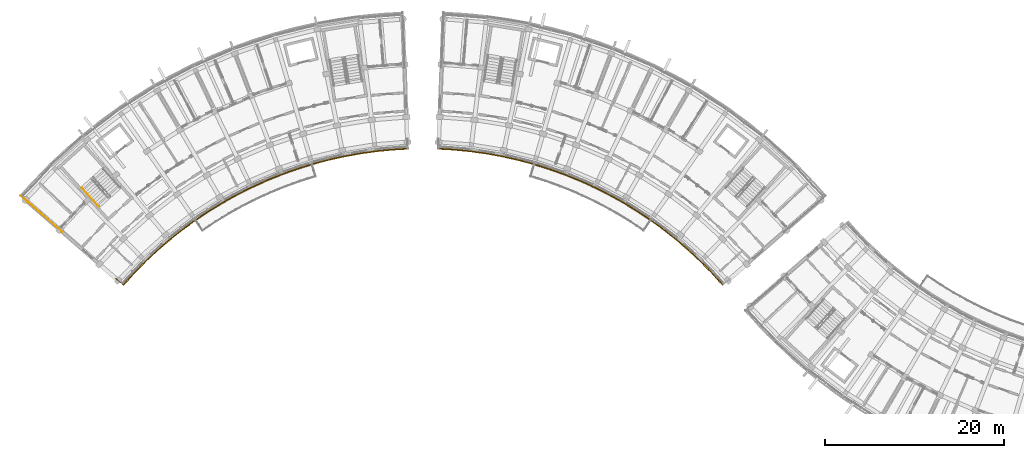
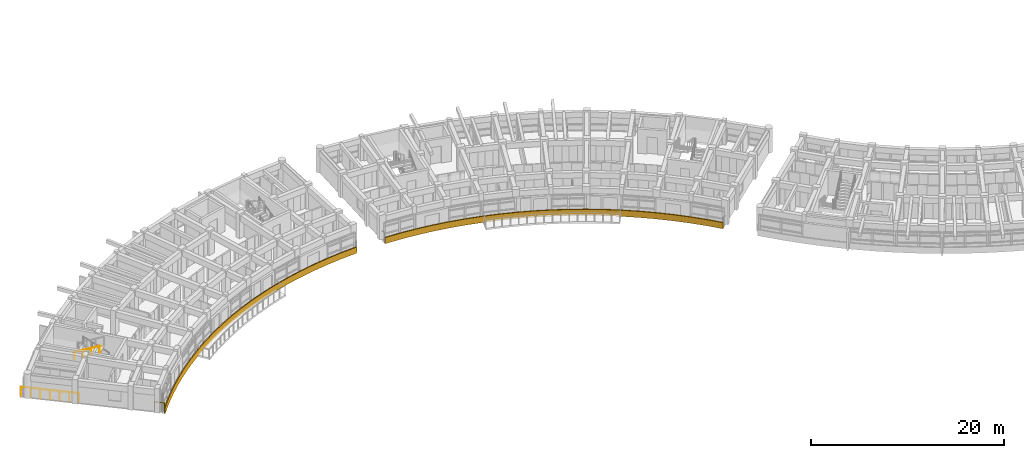
# One storey, part 41 of 56: 5 railings.
"""IFC4 building model written with IfcOpenShell, lengths in metres."""

from ifc_helpers import new_model, si_unit, direction, frame, origin, origin_2d, place, context, subcontext, project, spatial, polyline, circle, outline, extrude, material, type_object, element, save


model = new_model("IFC4")

# Units and contexts
model_context = context("Model", 3, precision=1e-05, world=origin(), true_north=direction((0.0, 1.0)))
body_context = subcontext(model_context, "Body", "Model", "MODEL_VIEW")
ifc_project = project(units=[si_unit("LENGTHUNIT", "METRE"), si_unit("AREAUNIT", "SQUARE_METRE"), si_unit("VOLUMEUNIT", "CUBIC_METRE"), si_unit("PLANEANGLEUNIT", "RADIAN"), si_unit("MASSUNIT", "GRAM", prefix="KILO")], contexts=[model_context])

# Site, building, storey
site_placement = place(None, origin())
site = spatial("IfcSite", under=ifc_project, at=site_placement, CompositionType="ELEMENT")
building_placement = place(site_placement, origin())
building = spatial("IfcBuilding", under=site, at=building_placement, Name="Zimvara Arc Housing Community", CompositionType="ELEMENT")
storey_placement = place(building_placement, frame((0.0, 0.0, 11.199951171875)))
storey = spatial("IfcBuildingStorey", under=building, at=storey_placement, Name="L03", CompositionType="ELEMENT", Elevation=11.199951171875)

# Railings
ifc_material_1 = material(Name="Anodised Aluminium AW-6063", Category="aluminium")
railing_type_1 = type_object("IfcRailingType", Name="RLG-BAL-1150", PredefinedType="BALUSTRADE", material=ifc_material_1)
railing_1_placement = place(storey_placement, frame((11.490966796875, 73.62890625, 0.0)))
element("IfcRailing", 1, at=railing_1_placement, inside=storey, type_object=railing_type_1, Name="rlg:blkA:L03:gable_in:g0", PredefinedType="BALUSTRADE", context=body_context, shape_type="SweptSolid", body=[
    extrude(circle(Radius=0.02392578125, at=origin_2d()), frame((0.0, 0.0, 1.1259765625), z_axis=(-0.754659042762, 0.656117161167, 0.0), x_axis=(-0.656117161167, -0.754659042762, 0.0)), (0.0, 0.0, 1.0), 1.080322265625),
    extrude(circle(Radius=0.02099609375, at=origin_2d()), origin(), (0.0, 0.0, 1.0), 1.101806640625),
    extrude(circle(Radius=0.02099609375, at=origin_2d()), frame((-0.815185546875, 0.708740234375, 0.0)), (0.0, 0.0, 1.0), 1.101806640625),
])
railing_2_placement = place(storey_placement, frame((4.668212890625, 79.559814453125, 0.0)))
element("IfcRailing", 2, at=railing_2_placement, inside=storey, type_object=railing_type_1, Name="rlg:blkA:L03:gable_out:g0", PredefinedType="BALUSTRADE", context=body_context, shape_type="SweptSolid", body=[
    extrude(circle(Radius=0.02392578125, at=origin_2d()), frame((0.0, 0.0, 1.1259765625), z_axis=(-0.754708757217, 0.656059975749, 0.0), x_axis=(-0.656059975749, -0.754708757217, 0.0)), (0.0, 0.0, 1.0), 6.159912109375),
    extrude(circle(Radius=0.02099609375, at=origin_2d()), origin(), (0.0, 0.0, 1.0), 1.101806640625),
    extrude(circle(Radius=0.02099609375, at=origin_2d()), frame((-0.77490234375, 0.673583984375, 0.0)), (0.0, 0.0, 1.0), 1.101806640625),
    extrude(circle(Radius=0.02099609375, at=origin_2d()), frame((-1.549560546875, 1.34716796875, 0.0)), (0.0, 0.0, 1.0), 1.101806640625),
    extrude(circle(Radius=0.02099609375, at=origin_2d()), frame((-2.324462890625, 2.0205078125, 0.0)), (0.0, 0.0, 1.0), 1.101806640625),
    extrude(circle(Radius=0.02099609375, at=origin_2d()), frame((-3.099365234375, 2.694091796875, 0.0)), (0.0, 0.0, 1.0), 1.101806640625),
    extrude(circle(Radius=0.02099609375, at=origin_2d()), frame((-3.8740234375, 3.36767578125, 0.0)), (0.0, 0.0, 1.0), 1.101806640625),
    extrude(circle(Radius=0.02099609375, at=origin_2d()), frame((-4.64892578125, 4.041259765625, 0.0)), (0.0, 0.0, 1.0), 1.101806640625),
])
ifc_material_2 = material(Name="Pale-Gold Anodised Aluminium AW-6063", Category="aluminium")
railing_type_2 = type_object("IfcRailingType", Name="RLG-FAS-780", PredefinedType="BALUSTRADE", material=ifc_material_2)
railing_3_placement = place(storey_placement, frame((0.0, 0.0, -0.219970703125)))
element("IfcRailing", 3, at=railing_3_placement, inside=storey, type_object=railing_type_2, Name="rlg:blkA:L03:gold_in", PredefinedType="BALUSTRADE", context=body_context, shape_type="SweptSolid", body=[
    extrude(outline(polyline([(11.55126953125, 73.576416015625), (12.766357421875, 74.91796875), (14.03515625, 76.208740234375), (15.355712890625, 77.446533203125), (16.7255859375, 78.62939453125), (18.142578125, 79.75537109375), (19.6044921875, 80.822509765625), (21.108642578125, 81.8291015625), (22.652587890625, 82.7734375), (24.234130859375, 83.654052734375), (25.849853515625, 84.46923828125), (27.497802734375, 85.2177734375), (29.1748046875, 85.8984375), (30.87841796875, 86.510009765625), (32.60546875, 87.051513671875), (34.35302734375, 87.522216796875), (36.11865234375, 87.9208984375), (37.898681640625, 88.247314453125), (39.69091796875, 88.5009765625), (41.491943359375, 88.680908203125), (43.298583984375, 88.787353515625), (43.2939453125, 88.9072265625), (41.482421875, 88.800537109375), (39.676513671875, 88.6201171875), (37.879638671875, 88.365966796875), (36.094482421875, 88.03857421875), (34.32421875, 87.638671875), (32.57177734375, 87.166748046875), (30.840087890625, 86.623779296875), (29.132080078125, 86.010498046875), (27.450439453125, 85.328125), (25.798095703125, 84.577392578125), (24.177734375, 83.760009765625), (22.59228515625, 82.877197265625), (21.0439453125, 81.93017578125), (19.53564453125, 80.9208984375), (18.06982421875, 79.850830078125), (16.64892578125, 78.721923828125), (15.275390625, 77.53564453125), (13.951416015625, 76.29443359375), (12.678955078125, 75.000244140625), (11.460693359375, 73.6552734375), (11.55126953125, 73.576416015625)])), origin(), (0.0, 0.0, 1.0), 0.780029296875),
])
railing_4_placement = place(storey_placement, frame((0.0, 0.0, -0.219970703125)))
element("IfcRailing", 4, at=railing_4_placement, inside=storey, type_object=railing_type_2, Name="rlg:blkB:L03:gold_in", PredefinedType="BALUSTRADE", context=body_context, shape_type="SweptSolid", body=[
    extrude(outline(polyline([(46.701416015625, 88.787353515625), (48.508056640625, 88.680908203125), (50.30908203125, 88.5009765625), (52.101318359375, 88.247314453125), (53.88134765625, 87.9208984375), (55.64697265625, 87.522216796875), (57.39453125, 87.051513671875), (59.12158203125, 86.510009765625), (60.8251953125, 85.8984375), (62.502197265625, 85.2177734375), (64.150146484375, 84.46923828125), (65.765869140625, 83.654052734375), (67.347412109375, 82.7734375), (68.891357421875, 81.8291015625), (70.3955078125, 80.822509765625), (71.857421875, 79.75537109375), (73.2744140625, 78.62939453125), (74.644287109375, 77.446533203125), (75.96484375, 76.208740234375), (77.233642578125, 74.91796875), (78.44873046875, 73.576416015625), (78.539306640625, 73.6552734375), (77.321044921875, 75.000244140625), (76.048583984375, 76.29443359375), (74.724609375, 77.53564453125), (73.35107421875, 78.721923828125), (71.93017578125, 79.850830078125), (70.46435546875, 80.9208984375), (68.9560546875, 81.93017578125), (67.40771484375, 82.877197265625), (65.822265625, 83.760009765625), (64.201904296875, 84.577392578125), (62.549560546875, 85.328125), (60.867919921875, 86.010498046875), (59.159912109375, 86.623779296875), (57.42822265625, 87.166748046875), (55.67578125, 87.638671875), (53.905517578125, 88.03857421875), (52.120361328125, 88.365966796875), (50.323486328125, 88.6201171875), (48.517578125, 88.800537109375), (46.7060546875, 88.9072265625), (46.701416015625, 88.787353515625)])), origin(), (0.0, 0.0, 1.0), 0.780029296875),
])
ifc_material_3 = material(Name="Anodised Aluminium AW-6063", Category="aluminium")
railing_type_3 = type_object("IfcRailingType", Name="RLG-HND-900", PredefinedType="HANDRAIL", material=ifc_material_3)
railing_5_placement = place(storey_placement, frame((6.890869140625, 84.476806640625, 1.705078125)))
element("IfcRailing", 5, at=railing_5_placement, inside=storey, type_object=railing_type_3, Name="L03 ST-A1 stair handrail 2", PredefinedType="HANDRAIL", context=body_context, shape_type="SweptSolid", body=[
    extrude(circle(Radius=0.02392578125, at=origin_2d()), frame((0.0, 0.0, 0.8759765625), z_axis=(0.599067985855, -0.665717608404, 0.444901802856), x_axis=(0.743337374551, 0.668916697052, 0.0)), (0.0, 0.0, 1.0), 3.135498046875),
    extrude(circle(Radius=0.02099609375, at=origin_2d()), origin(), (0.0, 0.0, 1.0), 0.851806640625),
    extrude(circle(Radius=0.02099609375, at=origin_2d()), frame((0.626220703125, -0.69580078125, 0.465087890625)), (0.0, 0.0, 1.0), 0.851806640625),
    extrude(circle(Radius=0.02099609375, at=origin_2d()), frame((1.252197265625, -1.3916015625, 0.929931640625)), (0.0, 0.0, 1.0), 0.851806640625),
    extrude(circle(Radius=0.02099609375, at=origin_2d()), frame((1.87841796875, -2.08740234375, 1.39501953125)), (0.0, 0.0, 1.0), 0.851806640625),
])

save(model, "model.ifc")
